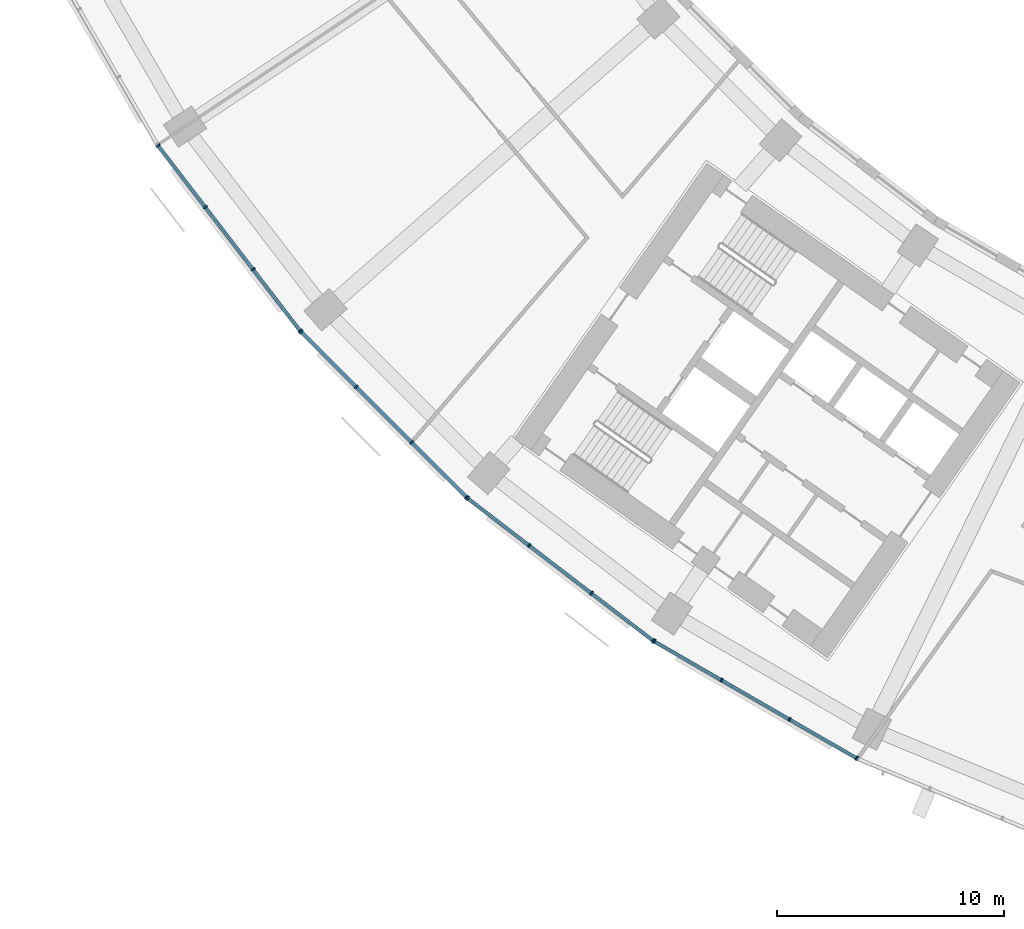
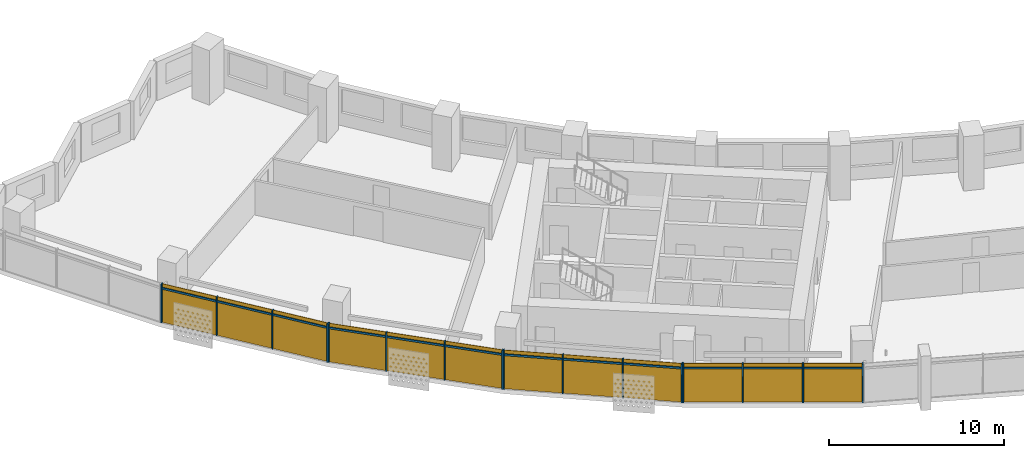
# One storey, part 18 of 30: 28 members, 4 curtain walls.
"""IFC4 building model written with IfcOpenShell, lengths in metres."""

from ifc_helpers import new_model, si_unit, direction, frame, origin, origin_2d, place, context, subcontext, project, spatial, rectangle, extrude, material, material_profile, profile_set, type_object, element, aggregate, save


model = new_model("IFC4")

# Units and contexts
model_context = context("Model", 3, precision=1e-05, world=origin(), true_north=direction((0.0, 1.0)))
body_context = subcontext(model_context, "Body", "Model", "MODEL_VIEW")
ifc_project = project(units=[si_unit("LENGTHUNIT", "METRE"), si_unit("AREAUNIT", "SQUARE_METRE"), si_unit("VOLUMEUNIT", "CUBIC_METRE"), si_unit("PLANEANGLEUNIT", "RADIAN"), si_unit("MASSUNIT", "GRAM", prefix="KILO")], contexts=[model_context])

# Member
ifc_material = material(Name="Aluminium 6063-T6 anodised", Category="aluminium")
ifc_material_profile_1 = material_profile(ifc_material, rectangle(XDim=0.199951171875, YDim=0.070068359375, at=origin_2d()))
ifc_profile_set_1 = profile_set([ifc_material_profile_1], Name="Aluminium 6063-T6 anodised")
member_type_1 = type_object("IfcMemberType", Name="Mullion 70 x 200 aluminium", PredefinedType="MULLION", material=ifc_profile_set_1)
site_placement = place(None, origin())
building_placement = place(site_placement, origin())
storey_placement = place(building_placement, frame((0.0, 0.0, 98.699951171875)))
member_1_placement = place(storey_placement, frame((-65.8349609375, -44.023681640625, 0.0), z_axis=(0.0, 0.0, 1.0), x_axis=(0.793353340291, 0.608761429009, 0.0)))
member_1 = element("IfcMember", 1, at=member_1_placement, type_object=member_type_1, Name="e-cw1-L21-out02/M00", PredefinedType="MULLION", context=body_context, shape_type="SweptSolid", body=[
    extrude(rectangle(XDim=0.199951171875, YDim=0.070068359375, at=origin_2d()), origin(), (0.0, 0.0, 1.0), 2.699951171875),
])

member_2_placement = place(storey_placement, frame((-63.751220703125, -46.739013671875, 0.0), z_axis=(0.0, 0.0, 1.0), x_axis=(0.793353340291, 0.608761429009, 0.0)))
member_2 = element("IfcMember", 2, at=member_2_placement, type_object=member_type_1, Name="e-cw1-L21-out02/M01", PredefinedType="MULLION", context=body_context, shape_type="SweptSolid", body=[
    extrude(rectangle(XDim=0.199951171875, YDim=0.070068359375, at=origin_2d()), origin(), (0.0, 0.0, 1.0), 2.699951171875),
])

member_3_placement = place(storey_placement, frame((-61.646484375, -49.482177734375, 0.0), z_axis=(0.0, 0.0, 1.0), x_axis=(0.793353340291, 0.608761429009, 0.0)))
member_3 = element("IfcMember", 3, at=member_3_placement, type_object=member_type_1, Name="e-cw1-L21-out02/M02", PredefinedType="MULLION", context=body_context, shape_type="SweptSolid", body=[
    extrude(rectangle(XDim=0.199951171875, YDim=0.070068359375, at=origin_2d()), origin(), (0.0, 0.0, 1.0), 2.699951171875),
])

member_4_placement = place(storey_placement, frame((-59.56298828125, -52.197509765625, 0.0), z_axis=(0.0, 0.0, 1.0), x_axis=(0.793353340291, 0.608761429009, 0.0)))
member_4 = element("IfcMember", 4, at=member_4_placement, type_object=member_type_1, Name="e-cw1-L21-out02/M03", PredefinedType="MULLION", context=body_context, shape_type="SweptSolid", body=[
    extrude(rectangle(XDim=0.199951171875, YDim=0.070068359375, at=origin_2d()), origin(), (0.0, 0.0, 1.0), 2.699951171875),
])

member_5_placement = place(storey_placement, frame((-59.525390625, -52.240234375, 0.0), z_axis=(0.0, 0.0, 1.0), x_axis=(0.707106781187, 0.707106781187, 0.0)))
member_5 = element("IfcMember", 5, at=member_5_placement, type_object=member_type_1, Name="e-cw1-L21-out03/M00", PredefinedType="MULLION", context=body_context, shape_type="SweptSolid", body=[
    extrude(rectangle(XDim=0.199951171875, YDim=0.070068359375, at=origin_2d()), origin(), (0.0, 0.0, 1.0), 2.699951171875),
])

member_6_placement = place(storey_placement, frame((-57.105224609375, -54.660400390625, 0.0), z_axis=(0.0, 0.0, 1.0), x_axis=(0.707106781187, 0.707106781187, 0.0)))
member_6 = element("IfcMember", 6, at=member_6_placement, type_object=member_type_1, Name="e-cw1-L21-out03/M01", PredefinedType="MULLION", context=body_context, shape_type="SweptSolid", body=[
    extrude(rectangle(XDim=0.199951171875, YDim=0.070068359375, at=origin_2d()), origin(), (0.0, 0.0, 1.0), 2.699951171875),
])

member_7_placement = place(storey_placement, frame((-54.660400390625, -57.105224609375, 0.0), z_axis=(0.0, 0.0, 1.0), x_axis=(0.707106781187, 0.707106781187, 0.0)))
member_7 = element("IfcMember", 7, at=member_7_placement, type_object=member_type_1, Name="e-cw1-L21-out03/M02", PredefinedType="MULLION", context=body_context, shape_type="SweptSolid", body=[
    extrude(rectangle(XDim=0.199951171875, YDim=0.070068359375, at=origin_2d()), origin(), (0.0, 0.0, 1.0), 2.699951171875),
])

member_8_placement = place(storey_placement, frame((-52.240234375, -59.525390625, 0.0), z_axis=(0.0, 0.0, 1.0), x_axis=(0.707106781187, 0.707106781187, 0.0)))
member_8 = element("IfcMember", 8, at=member_8_placement, type_object=member_type_1, Name="e-cw1-L21-out03/M03", PredefinedType="MULLION", context=body_context, shape_type="SweptSolid", body=[
    extrude(rectangle(XDim=0.199951171875, YDim=0.070068359375, at=origin_2d()), origin(), (0.0, 0.0, 1.0), 2.699951171875),
])

member_9_placement = place(storey_placement, frame((-52.197509765625, -59.56298828125, 0.0), z_axis=(0.0, 0.0, 1.0), x_axis=(0.608761429009, 0.793353340291, 0.0)))
member_9 = element("IfcMember", 9, at=member_9_placement, type_object=member_type_1, Name="e-cw1-L21-out04/M00", PredefinedType="MULLION", context=body_context, shape_type="SweptSolid", body=[
    extrude(rectangle(XDim=0.199951171875, YDim=0.070068359375, at=origin_2d()), origin(), (0.0, 0.0, 1.0), 2.699951171875),
])

member_10_placement = place(storey_placement, frame((-49.482177734375, -61.646484375, 0.0), z_axis=(0.0, 0.0, 1.0), x_axis=(0.608761429009, 0.793353340291, 0.0)))
member_10 = element("IfcMember", 10, at=member_10_placement, type_object=member_type_1, Name="e-cw1-L21-out04/M01", PredefinedType="MULLION", context=body_context, shape_type="SweptSolid", body=[
    extrude(rectangle(XDim=0.199951171875, YDim=0.070068359375, at=origin_2d()), origin(), (0.0, 0.0, 1.0), 2.699951171875),
])

member_11_placement = place(storey_placement, frame((-46.739013671875, -63.751220703125, 0.0), z_axis=(0.0, 0.0, 1.0), x_axis=(0.608761429009, 0.793353340291, 0.0)))
member_11 = element("IfcMember", 11, at=member_11_placement, type_object=member_type_1, Name="e-cw1-L21-out04/M02", PredefinedType="MULLION", context=body_context, shape_type="SweptSolid", body=[
    extrude(rectangle(XDim=0.199951171875, YDim=0.070068359375, at=origin_2d()), origin(), (0.0, 0.0, 1.0), 2.699951171875),
])

member_12_placement = place(storey_placement, frame((-44.023681640625, -65.8349609375, 0.0), z_axis=(0.0, 0.0, 1.0), x_axis=(0.608761429009, 0.793353340291, 0.0)))
member_12 = element("IfcMember", 12, at=member_12_placement, type_object=member_type_1, Name="e-cw1-L21-out04/M03", PredefinedType="MULLION", context=body_context, shape_type="SweptSolid", body=[
    extrude(rectangle(XDim=0.199951171875, YDim=0.070068359375, at=origin_2d()), origin(), (0.0, 0.0, 1.0), 2.699951171875),
])

member_13_placement = place(storey_placement, frame((-43.976318359375, -65.866455078125, 0.0), z_axis=(0.0, 0.0, 1.0), x_axis=(0.5, 0.866025403784, 0.0)))
member_13 = element("IfcMember", 13, at=member_13_placement, type_object=member_type_1, Name="e-cw1-L21-out05/M00", PredefinedType="MULLION", context=body_context, shape_type="SweptSolid", body=[
    extrude(rectangle(XDim=0.199951171875, YDim=0.070068359375, at=origin_2d()), origin(), (0.0, 0.0, 1.0), 2.699951171875),
])

member_14_placement = place(storey_placement, frame((-41.01220703125, -67.577880859375, 0.0), z_axis=(0.0, 0.0, 1.0), x_axis=(0.5, 0.866025403784, 0.0)))
member_14 = element("IfcMember", 14, at=member_14_placement, type_object=member_type_1, Name="e-cw1-L21-out05/M01", PredefinedType="MULLION", context=body_context, shape_type="SweptSolid", body=[
    extrude(rectangle(XDim=0.199951171875, YDim=0.070068359375, at=origin_2d()), origin(), (0.0, 0.0, 1.0), 2.699951171875),
])

member_15_placement = place(storey_placement, frame((-38.017822265625, -69.306640625, 0.0), z_axis=(0.0, 0.0, 1.0), x_axis=(0.5, 0.866025403784, 0.0)))
member_15 = element("IfcMember", 15, at=member_15_placement, type_object=member_type_1, Name="e-cw1-L21-out05/M02", PredefinedType="MULLION", context=body_context, shape_type="SweptSolid", body=[
    extrude(rectangle(XDim=0.199951171875, YDim=0.070068359375, at=origin_2d()), origin(), (0.0, 0.0, 1.0), 2.699951171875),
])

member_16_placement = place(storey_placement, frame((-35.0537109375, -71.017822265625, 0.0), z_axis=(0.0, 0.0, 1.0), x_axis=(0.5, 0.866025403784, 0.0)))
member_16 = element("IfcMember", 16, at=member_16_placement, type_object=member_type_1, Name="e-cw1-L21-out05/M03", PredefinedType="MULLION", context=body_context, shape_type="SweptSolid", body=[
    extrude(rectangle(XDim=0.199951171875, YDim=0.070068359375, at=origin_2d()), origin(), (0.0, 0.0, 1.0), 2.699951171875),
])

ifc_material_profile_2 = material_profile(ifc_material, rectangle(XDim=0.139892578125, YDim=0.1201171875, at=origin_2d()))
ifc_profile_set_2 = profile_set([ifc_material_profile_2], Name="Aluminium 6063-T6 anodised")
member_type_2 = type_object("IfcMemberType", Name="Transom 120 x 140 aluminium", PredefinedType="USERDEFINED", material=ifc_profile_set_2)
member_17_placement = place(storey_placement, frame((-65.8134765625, -44.05126953125, 2.400146484375), z_axis=(0.608714331426, -0.793389477316, 0.0), x_axis=(0.793389477316, 0.608714331426, 0.0)))
member_17 = element("IfcMember", 17, at=member_17_placement, type_object=member_type_2, Name="e-cw1-L21-out02/T00", ObjectType="TRANSOM", PredefinedType="USERDEFINED", context=body_context, shape_type="SweptSolid", body=[
    extrude(rectangle(XDim=0.139892578125, YDim=0.1201171875, at=origin_2d()), origin(), (0.0, 0.0, 1.0), 3.3525390625),
])

member_18_placement = place(storey_placement, frame((-63.72998046875, -46.766845703125, 2.400146484375), z_axis=(0.608773427772, -0.793344133173, 0.0), x_axis=(0.793344133173, 0.608773427772, 0.0)))
member_18 = element("IfcMember", 18, at=member_18_placement, type_object=member_type_2, Name="e-cw1-L21-out02/T01", ObjectType="TRANSOM", PredefinedType="USERDEFINED", context=body_context, shape_type="SweptSolid", body=[
    extrude(rectangle(XDim=0.139892578125, YDim=0.1201171875, at=origin_2d()), origin(), (0.0, 0.0, 1.0), 3.387451171875),
])

member_19_placement = place(storey_placement, frame((-61.625244140625, -49.509765625, 2.400146484375), z_axis=(0.608760167055, -0.793354308621, 0.0), x_axis=(0.793354308621, 0.608760167055, 0.0)))
member_19 = element("IfcMember", 19, at=member_19_placement, type_object=member_type_2, Name="e-cw1-L21-out02/T02", ObjectType="TRANSOM", PredefinedType="USERDEFINED", context=body_context, shape_type="SweptSolid", body=[
    extrude(rectangle(XDim=0.139892578125, YDim=0.1201171875, at=origin_2d()), origin(), (0.0, 0.0, 1.0), 3.352783203125),
])

member_20_placement = place(storey_placement, frame((-59.500732421875, -52.264892578125, 2.400146484375), z_axis=(0.707106781187, -0.707106781187, 0.0), x_axis=(0.707106781187, 0.707106781187, 0.0)))
member_20 = element("IfcMember", 20, at=member_20_placement, type_object=member_type_2, Name="e-cw1-L21-out03/T00", ObjectType="TRANSOM", PredefinedType="USERDEFINED", context=body_context, shape_type="SweptSolid", body=[
    extrude(rectangle(XDim=0.139892578125, YDim=0.1201171875, at=origin_2d()), origin(), (0.0, 0.0, 1.0), 3.3525390625),
])

member_21_placement = place(storey_placement, frame((-57.08056640625, -54.68505859375, 2.400146484375), z_axis=(0.707106781187, -0.707106781187, 0.0), x_axis=(0.707106781187, 0.707106781187, 0.0)))
member_21 = element("IfcMember", 21, at=member_21_placement, type_object=member_type_2, Name="e-cw1-L21-out03/T01", ObjectType="TRANSOM", PredefinedType="USERDEFINED", context=body_context, shape_type="SweptSolid", body=[
    extrude(rectangle(XDim=0.139892578125, YDim=0.1201171875, at=origin_2d()), origin(), (0.0, 0.0, 1.0), 3.3876953125),
])

member_22_placement = place(storey_placement, frame((-54.635498046875, -57.130126953125, 2.400146484375), z_axis=(0.707106781187, -0.707106781187, 0.0), x_axis=(0.707106781187, 0.707106781187, 0.0)))
member_22 = element("IfcMember", 22, at=member_22_placement, type_object=member_type_2, Name="e-cw1-L21-out03/T02", ObjectType="TRANSOM", PredefinedType="USERDEFINED", context=body_context, shape_type="SweptSolid", body=[
    extrude(rectangle(XDim=0.139892578125, YDim=0.1201171875, at=origin_2d()), origin(), (0.0, 0.0, 1.0), 3.3525390625),
])

member_23_placement = place(storey_placement, frame((-52.169677734375, -59.584228515625, 2.400146484375), z_axis=(0.793354308621, -0.608760167055, 0.0), x_axis=(0.608760167055, 0.793354308621, 0.0)))
member_23 = element("IfcMember", 23, at=member_23_placement, type_object=member_type_2, Name="e-cw1-L21-out04/T00", ObjectType="TRANSOM", PredefinedType="USERDEFINED", context=body_context, shape_type="SweptSolid", body=[
    extrude(rectangle(XDim=0.139892578125, YDim=0.1201171875, at=origin_2d()), origin(), (0.0, 0.0, 1.0), 3.352783203125),
])

member_24_placement = place(storey_placement, frame((-49.454345703125, -61.667724609375, 2.400146484375), z_axis=(0.793344133173, -0.608773427772, 0.0), x_axis=(0.608773427772, 0.793344133173, 0.0)))
member_24 = element("IfcMember", 24, at=member_24_placement, type_object=member_type_2, Name="e-cw1-L21-out04/T01", ObjectType="TRANSOM", PredefinedType="USERDEFINED", context=body_context, shape_type="SweptSolid", body=[
    extrude(rectangle(XDim=0.139892578125, YDim=0.1201171875, at=origin_2d()), origin(), (0.0, 0.0, 1.0), 3.387451171875),
])

member_25_placement = place(storey_placement, frame((-46.711181640625, -63.772705078125, 2.400146484375), z_axis=(0.793389477316, -0.608714331426, 0.0), x_axis=(0.608714331426, 0.793389477316, 0.0)))
member_25 = element("IfcMember", 25, at=member_25_placement, type_object=member_type_2, Name="e-cw1-L21-out04/T02", ObjectType="TRANSOM", PredefinedType="USERDEFINED", context=body_context, shape_type="SweptSolid", body=[
    extrude(rectangle(XDim=0.139892578125, YDim=0.1201171875, at=origin_2d()), origin(), (0.0, 0.0, 1.0), 3.3525390625),
])

member_26_placement = place(storey_placement, frame((-43.946044921875, -65.884033203125, 2.400146484375), z_axis=(0.866020654818, -0.50000822536, 0.0), x_axis=(0.50000822536, 0.866020654818, 0.0)))
member_26 = element("IfcMember", 26, at=member_26_placement, type_object=member_type_2, Name="e-cw1-L21-out05/T00", ObjectType="TRANSOM", PredefinedType="USERDEFINED", context=body_context, shape_type="SweptSolid", body=[
    extrude(rectangle(XDim=0.139892578125, YDim=0.1201171875, at=origin_2d()), origin(), (0.0, 0.0, 1.0), 3.3525390625),
])

member_27_placement = place(storey_placement, frame((-40.98193359375, -67.59521484375, 2.400146484375), z_axis=(0.866025971257, -0.499999017107, 0.0), x_axis=(0.499999017107, 0.866025971257, 0.0)))
member_27 = element("IfcMember", 27, at=member_27_placement, type_object=member_type_2, Name="e-cw1-L21-out05/T01", ObjectType="TRANSOM", PredefinedType="USERDEFINED", context=body_context, shape_type="SweptSolid", body=[
    extrude(rectangle(XDim=0.139892578125, YDim=0.1201171875, at=origin_2d()), origin(), (0.0, 0.0, 1.0), 3.3876953125),
])

member_28_placement = place(storey_placement, frame((-37.987548828125, -69.323974609375, 2.400146484375), z_axis=(0.865989120267, -0.50006283963, 0.0), x_axis=(0.50006283963, 0.865989120267, 0.0)))
member_28 = element("IfcMember", 28, at=member_28_placement, type_object=member_type_2, Name="e-cw1-L21-out05/T02", ObjectType="TRANSOM", PredefinedType="USERDEFINED", context=body_context, shape_type="SweptSolid", body=[
    extrude(rectangle(XDim=0.139892578125, YDim=0.1201171875, at=origin_2d()), origin(), (0.0, 0.0, 1.0), 3.3525390625),
])

# Site, building, storey
site = spatial("IfcSite", under=ifc_project, at=site_placement, CompositionType="ELEMENT")
building = spatial("IfcBuilding", under=site, at=building_placement, Name="Qamariyya Broadcast Tower", CompositionType="ELEMENT")
storey = spatial("IfcBuildingStorey", under=building, at=storey_placement, Name="L21", CompositionType="ELEMENT", Elevation=98.699951171875)

# Curtain wall
curtain_wall_type = type_object("IfcCurtainWallType", Name="Unitised curtain wall, anodised aluminium", PredefinedType="NOTDEFINED", material=ifc_material)
curtain_wall_1_placement = place(storey_placement, origin())
curtain_wall_1 = element("IfcCurtainWall", 29, at=curtain_wall_1_placement, inside=storey, type_object=curtain_wall_type, Name="e-cw1-L21-out02", PredefinedType="NOTDEFINED", context=body_context, shape_type="SweptSolid", body=[
    extrude(rectangle(XDim=3.352783203125, YDim=0.031982421875, at=origin_2d()), frame((-64.793212890625, -45.38134765625, 0.0), x_axis=(0.608760568165, -0.793354000839, 0.0)), (0.0, 0.0, 1.0), 2.340087890625),
    extrude(rectangle(XDim=3.352783203125, YDim=0.031982421875, at=origin_2d()), frame((-64.793212890625, -45.38134765625, 2.4599609375), x_axis=(0.608760568165, -0.793354000839, 0.0)), (0.0, 0.0, 1.0), 0.239990234375),
    extrude(rectangle(XDim=3.3876953125, YDim=0.031982421875, at=origin_2d()), frame((-62.69873046875, -48.110595703125, 0.0), x_axis=(0.608760568165, -0.793354000839, 0.0)), (0.0, 0.0, 1.0), 2.340087890625),
    extrude(rectangle(XDim=3.3876953125, YDim=0.031982421875, at=origin_2d()), frame((-62.69873046875, -48.110595703125, 2.4599609375), x_axis=(0.608760568165, -0.793354000839, 0.0)), (0.0, 0.0, 1.0), 0.239990234375),
    extrude(rectangle(XDim=3.352783203125, YDim=0.031982421875, at=origin_2d()), frame((-60.6044921875, -50.83984375, 0.0), x_axis=(0.608760568165, -0.793354000839, 0.0)), (0.0, 0.0, 1.0), 2.340087890625),
    extrude(rectangle(XDim=3.352783203125, YDim=0.031982421875, at=origin_2d()), frame((-60.6044921875, -50.83984375, 2.4599609375), x_axis=(0.608760568165, -0.793354000839, 0.0)), (0.0, 0.0, 1.0), 0.239990234375),
])

aggregate(curtain_wall_1, [member_1, member_2, member_3, member_4, member_17, member_18, member_19])

curtain_wall_2_placement = place(storey_placement, origin())
curtain_wall_2 = element("IfcCurtainWall", 30, at=curtain_wall_2_placement, inside=storey, type_object=curtain_wall_type, Name="e-cw1-L21-out03", PredefinedType="NOTDEFINED", context=body_context, shape_type="SweptSolid", body=[
    extrude(rectangle(XDim=3.352783203125, YDim=0.031982421875, at=origin_2d()), frame((-58.3154296875, -53.4501953125, 0.0), x_axis=(0.707106781187, -0.707106781187, 0.0)), (0.0, 0.0, 1.0), 2.340087890625),
    extrude(rectangle(XDim=3.352783203125, YDim=0.031982421875, at=origin_2d()), frame((-58.3154296875, -53.4501953125, 2.4599609375), x_axis=(0.707106781187, -0.707106781187, 0.0)), (0.0, 0.0, 1.0), 0.239990234375),
    extrude(rectangle(XDim=3.3876953125, YDim=0.031982421875, at=origin_2d()), frame((-55.8828125, -55.8828125, 0.0), x_axis=(0.707106781187, -0.707106781187, 0.0)), (0.0, 0.0, 1.0), 2.340087890625),
    extrude(rectangle(XDim=3.3876953125, YDim=0.031982421875, at=origin_2d()), frame((-55.8828125, -55.8828125, 2.4599609375), x_axis=(0.707106781187, -0.707106781187, 0.0)), (0.0, 0.0, 1.0), 0.239990234375),
    extrude(rectangle(XDim=3.352783203125, YDim=0.031982421875, at=origin_2d()), frame((-53.4501953125, -58.3154296875, 0.0), x_axis=(0.707106781187, -0.707106781187, 0.0)), (0.0, 0.0, 1.0), 2.340087890625),
    extrude(rectangle(XDim=3.352783203125, YDim=0.031982421875, at=origin_2d()), frame((-53.4501953125, -58.3154296875, 2.4599609375), x_axis=(0.707106781187, -0.707106781187, 0.0)), (0.0, 0.0, 1.0), 0.239990234375),
])

aggregate(curtain_wall_2, [member_5, member_6, member_7, member_8, member_20, member_21, member_22])

curtain_wall_3_placement = place(storey_placement, origin())
curtain_wall_3 = element("IfcCurtainWall", 31, at=curtain_wall_3_placement, inside=storey, type_object=curtain_wall_type, Name="e-cw1-L21-out04", PredefinedType="NOTDEFINED", context=body_context, shape_type="SweptSolid", body=[
    extrude(rectangle(XDim=3.352783203125, YDim=0.031982421875, at=origin_2d()), frame((-50.83984375, -60.6044921875, 0.0), x_axis=(0.793354000839, -0.608760568165, 0.0)), (0.0, 0.0, 1.0), 2.340087890625),
    extrude(rectangle(XDim=3.352783203125, YDim=0.031982421875, at=origin_2d()), frame((-50.83984375, -60.6044921875, 2.4599609375), x_axis=(0.793354000839, -0.608760568165, 0.0)), (0.0, 0.0, 1.0), 0.239990234375),
    extrude(rectangle(XDim=3.3876953125, YDim=0.031982421875, at=origin_2d()), frame((-48.110595703125, -62.69873046875, 0.0), x_axis=(0.793354000839, -0.608760568165, 0.0)), (0.0, 0.0, 1.0), 2.340087890625),
    extrude(rectangle(XDim=3.3876953125, YDim=0.031982421875, at=origin_2d()), frame((-48.110595703125, -62.69873046875, 2.4599609375), x_axis=(0.793354000839, -0.608760568165, 0.0)), (0.0, 0.0, 1.0), 0.239990234375),
    extrude(rectangle(XDim=3.352783203125, YDim=0.031982421875, at=origin_2d()), frame((-45.38134765625, -64.793212890625, 0.0), x_axis=(0.793354000839, -0.608760568165, 0.0)), (0.0, 0.0, 1.0), 2.340087890625),
    extrude(rectangle(XDim=3.352783203125, YDim=0.031982421875, at=origin_2d()), frame((-45.38134765625, -64.793212890625, 2.4599609375), x_axis=(0.793354000839, -0.608760568165, 0.0)), (0.0, 0.0, 1.0), 0.239990234375),
])

aggregate(curtain_wall_3, [member_9, member_10, member_11, member_12, member_23, member_24, member_25])

curtain_wall_4_placement = place(storey_placement, origin())
curtain_wall_4 = element("IfcCurtainWall", 32, at=curtain_wall_4_placement, inside=storey, type_object=curtain_wall_type, Name="e-cw1-L21-out05", PredefinedType="NOTDEFINED", context=body_context, shape_type="SweptSolid", body=[
    extrude(rectangle(XDim=3.352783203125, YDim=0.031982421875, at=origin_2d()), frame((-42.494384765625, -66.72216796875, 0.0), x_axis=(0.866027243369, -0.499996813733, 0.0)), (0.0, 0.0, 1.0), 2.340087890625),
    extrude(rectangle(XDim=3.352783203125, YDim=0.031982421875, at=origin_2d()), frame((-42.494384765625, -66.72216796875, 2.4599609375), x_axis=(0.866027243369, -0.499996813733, 0.0)), (0.0, 0.0, 1.0), 0.239990234375),
    extrude(rectangle(XDim=3.3876953125, YDim=0.031982421875, at=origin_2d()), frame((-39.51513671875, -68.442138671875, 0.0), x_axis=(0.866027243369, -0.499996813733, 0.0)), (0.0, 0.0, 1.0), 2.340087890625),
    extrude(rectangle(XDim=3.3876953125, YDim=0.031982421875, at=origin_2d()), frame((-39.51513671875, -68.442138671875, 2.4599609375), x_axis=(0.866027243369, -0.499996813733, 0.0)), (0.0, 0.0, 1.0), 0.239990234375),
    extrude(rectangle(XDim=3.352783203125, YDim=0.031982421875, at=origin_2d()), frame((-36.535888671875, -70.162109375, 0.0), x_axis=(0.866027243369, -0.499996813733, 0.0)), (0.0, 0.0, 1.0), 2.340087890625),
    extrude(rectangle(XDim=3.352783203125, YDim=0.031982421875, at=origin_2d()), frame((-36.535888671875, -70.162109375, 2.4599609375), x_axis=(0.866027243369, -0.499996813733, 0.0)), (0.0, 0.0, 1.0), 0.239990234375),
])

aggregate(curtain_wall_4, [member_13, member_14, member_15, member_16, member_26, member_27, member_28])

save(model, "model.ifc")
